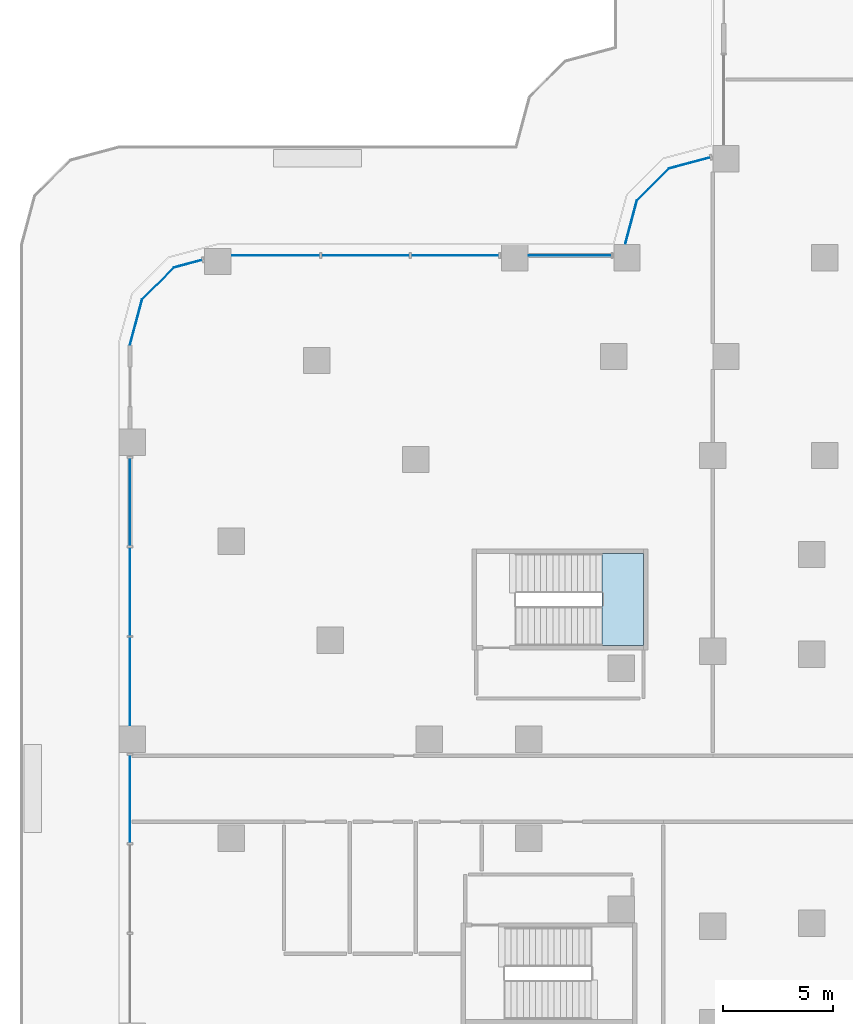
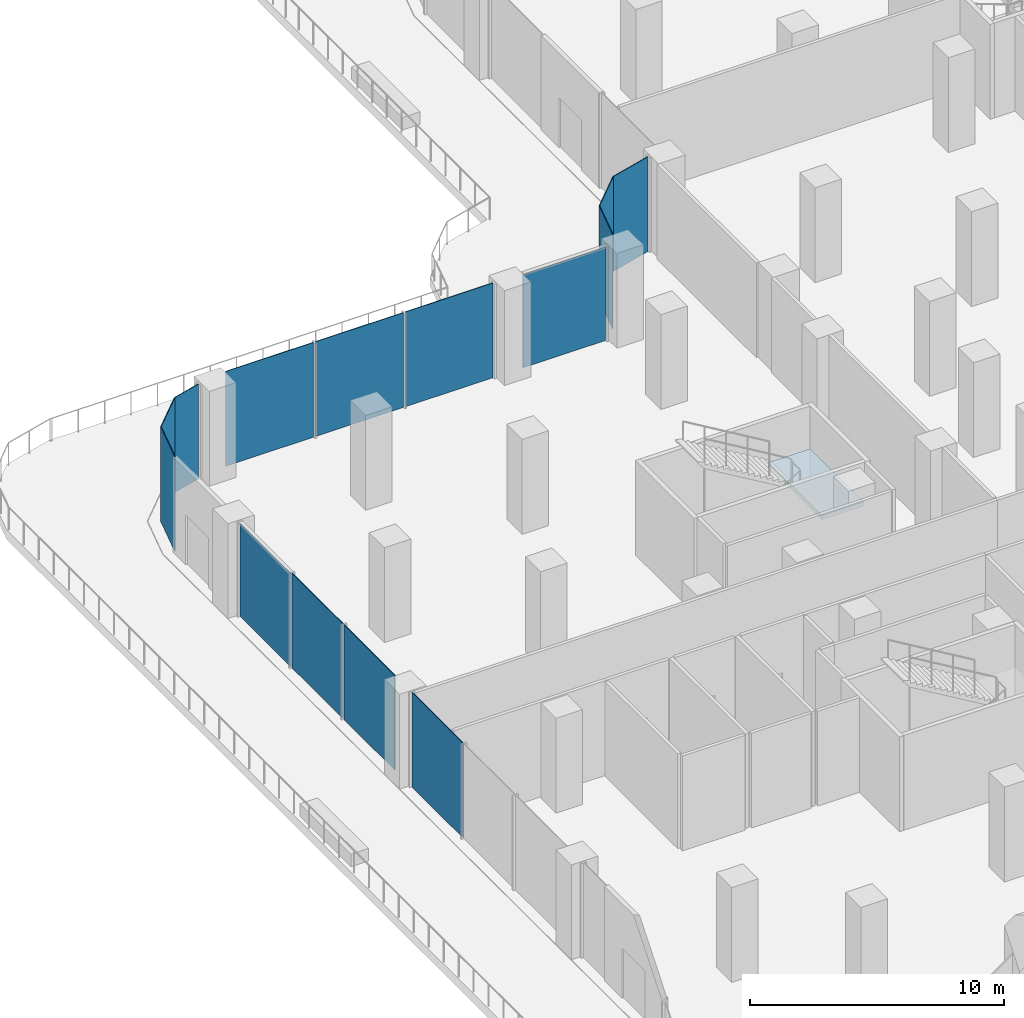
# One storey, part 13 of 30: 14 plates, 1 slab, 9 elements without a shape of their own.
"""IFC4 building model written with IfcOpenShell, lengths in metres."""

from ifc_helpers import new_model, si_unit, direction, frame, origin, place, context, subcontext, project, spatial, polyline, outline, extrude, source, transform, mapped, material, layer, layer_set, type_object, element, aggregate, save


model = new_model("IFC4")

# Units and contexts
model_context = context("Model", 3, precision=1e-05, world=origin(), true_north=direction((0.0, 1.0)))
body_context = subcontext(model_context, "Body", "Model", "MODEL_VIEW")
ifc_project = project(units=[si_unit("LENGTHUNIT", "METRE"), si_unit("AREAUNIT", "SQUARE_METRE"), si_unit("VOLUMEUNIT", "CUBIC_METRE"), si_unit("PLANEANGLEUNIT", "RADIAN"), si_unit("MASSUNIT", "GRAM", prefix="KILO")], contexts=[model_context])

# Site, building, storey
site_placement = place(None, origin())
site = spatial("IfcSite", under=ifc_project, at=site_placement, CompositionType="ELEMENT")
building_placement = place(site_placement, origin())
building = spatial("IfcBuilding", under=site, at=building_placement, Name="Zarbagh Exchange Tower", CompositionType="ELEMENT")
storey_placement = place(building_placement, frame((0.0, 0.0, 7.0)))
storey = spatial("IfcBuildingStorey", under=building, at=storey_placement, Name="L01", CompositionType="ELEMENT", Elevation=7.0)

# Stair, slab
ifc_material_1 = material(Name="Concrete C40/50", Category="concrete")
stair_type = type_object("IfcStairType", Name="Exit stair two-flight half-turn", PredefinedType="HALF_TURN_STAIR", material=ifc_material_1)
stair_placement = place(storey_placement, origin())
stair = element("IfcStair", 1, at=stair_placement, inside=storey, type_object=stair_type, Name="exit stair PS5", PredefinedType="HALF_TURN_STAIR")
ifc_layer_1 = layer(ifc_material_1, 0.199951171875)
ifc_layer_set_1 = layer_set([ifc_layer_1], Name="Stair landing 200 mm")
slab_type = type_object("IfcSlabType", Name="Stair landing 200 mm", PredefinedType="LANDING", material=ifc_layer_set_1)
slab_placement = place(storey_placement, frame((0.0, 0.0, 2.300048828125)))
slab = element("IfcSlab", 2, at=slab_placement, type_object=slab_type, Name="PS5 landing 1", PredefinedType="LANDING", context=body_context, shape_type="SweptSolid", body=[
    extrude(outline(polyline([(-29.780029296875, 6.5), (-27.89990234375, 6.5), (-27.89990234375, 10.699951171875), (-29.780029296875, 10.699951171875), (-29.780029296875, 6.5)])), origin(), (0.0, 0.0, 1.0), 0.199951171875),
])
aggregate(stair, [slab])

# Curtain wall, plate
ifc_material_2 = material(Name="Anodised aluminium frame and glazing", Category="aluminium")
curtain_wall_type = type_object("IfcCurtainWallType", Name="CWC Podium garden-wall glazing", PredefinedType="NOTDEFINED", material=ifc_material_2)
curtain_wall_1_placement = place(storey_placement, origin())
curtain_wall_1 = element("IfcCurtainWall", 3, at=curtain_wall_1_placement, inside=storey, type_object=curtain_wall_type, Name="CWC80 curtain wall", PredefinedType="NOTDEFINED")
ifc_material_3 = material(Name="Low-e double glazed unit, 6+12+6 mm")
ifc_layer_2 = layer(ifc_material_3, 0.031982421875)
ifc_layer_set_2 = layer_set([ifc_layer_2], Name="PAC Glazing panel, Low-e double glazed unit, 6+12+6 mm")
plate_type = type_object("IfcPlateType", Name="PAC Glazing panel, Low-e double glazed unit, 6+12+6 mm", PredefinedType="CURTAIN_PANEL", material=ifc_layer_set_2)
shared_shape_1 = source(origin(), body_context, "Body", "SweptSolid", [
    extrude(outline(polyline([(0.0, -0.01611328125), (2.061279296875, -0.01611328125), (2.061279296875, 0.01611328125), (0.0, 0.01611328125), (0.0, -0.01611328125)])), origin(), (0.0, 0.0, 1.0), 4.550048828125),
])
placement = place(storey_placement, origin())
plate_1 = element("IfcPlate", 4, at=placement, type_object=plate_type, Name="CWC80 glazing panel 1.1", PredefinedType="CURTAIN_PANEL", context=body_context, shape_type="MappedRepresentation", body=[
    mapped(shared_shape_1, transform((-26.7412109375, 28.19873046875, 0.0), x_axis=(-0.707106781187, -0.707106781187, 0.0), y_axis=(0.707106781187, -0.707106781187, 0.0), z_axis=(0.0, 0.0, 1.0))),
])
aggregate(curtain_wall_1, [plate_1])

curtain_wall_2_placement = place(storey_placement, origin())
curtain_wall_2 = element("IfcCurtainWall", 5, at=curtain_wall_2_placement, inside=storey, type_object=curtain_wall_type, Name="CWC84 curtain wall", PredefinedType="NOTDEFINED")
plate_2 = element("IfcPlate", 6, at=placement, type_object=plate_type, Name="CWC84 glazing panel 1.1", PredefinedType="CURTAIN_PANEL", context=body_context, shape_type="MappedRepresentation", body=[
    mapped(shared_shape_1, transform((-49.2412109375, 23.69873046875, 0.0), x_axis=(-0.707106781187, -0.707106781187, 0.0), y_axis=(0.707106781187, -0.707106781187, 0.0), z_axis=(0.0, 0.0, 1.0))),
])
aggregate(curtain_wall_2, [plate_2])

curtain_wall_3_placement = place(storey_placement, origin())
curtain_wall_3 = element("IfcCurtainWall", 7, at=curtain_wall_3_placement, inside=storey, type_object=curtain_wall_type, Name="CWC86 curtain wall", PredefinedType="NOTDEFINED")
shared_shape_2 = source(origin(), body_context, "Body", "SweptSolid", [
    extrude(outline(polyline([(0.0, -0.01611328125), (3.993408203125, -0.01611328125), (3.993408203125, 0.01611328125), (0.0, 0.01611328125), (0.0, -0.01611328125)])), origin(), (0.0, 0.0, 1.0), 4.469970703125),
])
plate_3 = element("IfcPlate", 8, at=placement, type_object=plate_type, Name="CWC86 glazing panel 1.1", PredefinedType="CURTAIN_PANEL", context=body_context, shape_type="MappedRepresentation", body=[
    mapped(shared_shape_2, transform((-51.25, 15.030029296875, 0.0), x_axis=(0.0, -1.0, 0.0), y_axis=(1.0, 0.0, 0.0), z_axis=(0.0, 0.0, 1.0))),
])

# Curtain wall, plates
curtain_wall_4_placement = place(storey_placement, origin())
curtain_wall_4 = element("IfcCurtainWall", 9, at=curtain_wall_4_placement, inside=storey, type_object=curtain_wall_type, Name="CWC82 curtain wall", PredefinedType="NOTDEFINED")
shared_shape_3 = source(origin(), body_context, "Body", "SweptSolid", [
    extrude(outline(polyline([(0.0, -0.01611328125), (3.993408203125, -0.01611328125), (3.993408203125, 0.01611328125), (0.0, 0.01611328125), (0.0, -0.01611328125)])), origin(), (0.0, 0.0, 1.0), 4.550048828125),
])
plate_4 = element("IfcPlate", 10, at=placement, type_object=plate_type, Name="CWC82 glazing panel 2.1", PredefinedType="CURTAIN_PANEL", context=body_context, shape_type="MappedRepresentation", body=[
    mapped(shared_shape_3, transform((-34.469970703125, 24.25, 0.0), x_axis=(-1.0, 0.0, 0.0), y_axis=(0.0, -1.0, 0.0), z_axis=(0.0, 0.0, 1.0))),
])
plate_5 = element("IfcPlate", 11, at=placement, type_object=plate_type, Name="CWC82 glazing panel 2.2", PredefinedType="CURTAIN_PANEL", context=body_context, shape_type="MappedRepresentation", body=[
    mapped(shared_shape_3, transform((-38.54345703125, 24.25, 0.0), x_axis=(-1.0, 0.0, 0.0), y_axis=(0.0, -1.0, 0.0), z_axis=(0.0, 0.0, 1.0))),
])
plate_6 = element("IfcPlate", 12, at=placement, type_object=plate_type, Name="CWC82 glazing panel 2.3", PredefinedType="CURTAIN_PANEL", context=body_context, shape_type="MappedRepresentation", body=[
    mapped(shared_shape_3, transform((-42.61669921875, 24.25, 0.0), x_axis=(-1.0, 0.0, 0.0), y_axis=(0.0, -1.0, 0.0), z_axis=(0.0, 0.0, 1.0))),
])

# Plate
plate_7 = element("IfcPlate", 13, at=placement, type_object=plate_type, Name="CWC86 glazing panel 1.2", PredefinedType="CURTAIN_PANEL", context=body_context, shape_type="MappedRepresentation", body=[
    mapped(shared_shape_3, transform((-51.25, 10.95654296875, 0.0), x_axis=(0.0, -1.0, 0.0), y_axis=(1.0, 0.0, 0.0), z_axis=(0.0, 0.0, 1.0))),
])

plate_8 = element("IfcPlate", 14, at=placement, type_object=plate_type, Name="CWC86 glazing panel 1.3", PredefinedType="CURTAIN_PANEL", context=body_context, shape_type="MappedRepresentation", body=[
    mapped(shared_shape_3, transform((-51.25, 6.88330078125, 0.0), x_axis=(0.0, -1.0, 0.0), y_axis=(1.0, 0.0, 0.0), z_axis=(0.0, 0.0, 1.0))),
])

plate_9 = element("IfcPlate", 15, at=placement, type_object=plate_type, Name="CWC86 glazing panel 2.1", PredefinedType="CURTAIN_PANEL", context=body_context, shape_type="MappedRepresentation", body=[
    mapped(shared_shape_3, transform((-51.25, 1.530029296875, 0.0), x_axis=(0.0, -1.0, 0.0), y_axis=(1.0, 0.0, 0.0), z_axis=(0.0, 0.0, 1.0))),
])

aggregate(curtain_wall_3, [plate_3, plate_7, plate_8, plate_9])

# Curtain wall, plate
curtain_wall_5_placement = place(storey_placement, origin())
curtain_wall_5 = element("IfcCurtainWall", 16, at=curtain_wall_5_placement, inside=storey, type_object=curtain_wall_type, Name="CWC79 curtain wall", PredefinedType="NOTDEFINED")
shared_shape_4 = source(origin(), body_context, "Body", "SweptSolid", [
    extrude(outline(polyline([(0.0, -0.01611328125), (1.93994140625, -0.01611328125), (1.93994140625, 0.01611328125), (0.0, 0.01611328125), (0.0, -0.01611328125)])), origin(), (0.0, 0.0, 1.0), 4.550048828125),
])
plate_10 = element("IfcPlate", 17, at=placement, type_object=plate_type, Name="CWC79 glazing panel 1.1", PredefinedType="CURTAIN_PANEL", context=body_context, shape_type="MappedRepresentation", body=[
    mapped(shared_shape_4, transform((-24.867431640625, 28.700927734375, 0.0), x_axis=(-0.965924289636, -0.258824779902, 0.0), y_axis=(0.258824779902, -0.965924289636, 0.0), z_axis=(0.0, 0.0, 1.0))),
])
aggregate(curtain_wall_5, [plate_10])

curtain_wall_6_placement = place(storey_placement, origin())
curtain_wall_6 = element("IfcCurtainWall", 18, at=curtain_wall_6_placement, inside=storey, type_object=curtain_wall_type, Name="CWC81 curtain wall", PredefinedType="NOTDEFINED")
shared_shape_5 = source(origin(), body_context, "Body", "SweptSolid", [
    extrude(outline(polyline([(0.0, -0.01611328125), (2.02001953125, -0.01611328125), (2.02001953125, 0.01611328125), (0.0, 0.01611328125), (0.0, -0.01611328125)])), origin(), (0.0, 0.0, 1.0), 4.550048828125),
])
plate_11 = element("IfcPlate", 19, at=placement, type_object=plate_type, Name="CWC81 glazing panel 1.1", PredefinedType="CURTAIN_PANEL", context=body_context, shape_type="MappedRepresentation", body=[
    mapped(shared_shape_5, transform((-28.19873046875, 26.7412109375, 0.0), x_axis=(-0.258824779902, -0.965924289636, 0.0), y_axis=(0.965924289636, -0.258824779902, 0.0), z_axis=(0.0, 0.0, 1.0))),
])
aggregate(curtain_wall_6, [plate_11])

curtain_wall_7_placement = place(storey_placement, origin())
curtain_wall_7 = element("IfcCurtainWall", 20, at=curtain_wall_7_placement, inside=storey, type_object=curtain_wall_type, Name="CWC83 curtain wall", PredefinedType="NOTDEFINED")
shared_shape_6 = source(origin(), body_context, "Body", "SweptSolid", [
    extrude(outline(polyline([(0.0, -0.01611328125), (1.31884765625, -0.01611328125), (1.31884765625, 0.01611328125), (0.0, 0.01611328125), (0.0, -0.01611328125)])), origin(), (0.0, 0.0, 1.0), 4.550048828125),
])
plate_12 = element("IfcPlate", 21, at=placement, type_object=plate_type, Name="CWC83 glazing panel 1.1", PredefinedType="CURTAIN_PANEL", context=body_context, shape_type="MappedRepresentation", body=[
    mapped(shared_shape_6, transform((-47.96728515625, 24.040283203125, 0.0), x_axis=(-0.965924289636, -0.258824779902, 0.0), y_axis=(0.258824779902, -0.965924289636, 0.0), z_axis=(0.0, 0.0, 1.0))),
])
aggregate(curtain_wall_7, [plate_12])

# Plate
shared_shape_7 = source(origin(), body_context, "Body", "SweptSolid", [
    extrude(outline(polyline([(0.0, -0.01611328125), (3.739990234375, -0.01611328125), (3.739990234375, 0.01611328125), (0.0, 0.01611328125), (0.0, -0.01611328125)])), origin(), (0.0, 0.0, 1.0), 4.469970703125),
])
plate_13 = element("IfcPlate", 22, at=placement, type_object=plate_type, Name="CWC82 glazing panel 1.1", PredefinedType="CURTAIN_PANEL", context=body_context, shape_type="MappedRepresentation", body=[
    mapped(shared_shape_7, transform((-29.3701171875, 24.25, 0.0), x_axis=(-1.0, 0.0, 0.0), y_axis=(0.0, -1.0, 0.0), z_axis=(0.0, 0.0, 1.0))),
])

aggregate(curtain_wall_4, [plate_13, plate_4, plate_5, plate_6])

# Curtain wall, plate
curtain_wall_8_placement = place(storey_placement, origin())
curtain_wall_8 = element("IfcCurtainWall", 23, at=curtain_wall_8_placement, inside=storey, type_object=curtain_wall_type, Name="CWC85 curtain wall", PredefinedType="NOTDEFINED")
shared_shape_8 = source(origin(), body_context, "Body", "SweptSolid", [
    extrude(outline(polyline([(0.0, -0.01611328125), (2.129638671875, -0.01611328125), (2.129638671875, 0.01611328125), (0.0, 0.01611328125), (0.0, -0.01611328125)])), origin(), (0.0, 0.0, 1.0), 4.550048828125),
])
plate_14 = element("IfcPlate", 24, at=placement, type_object=plate_type, Name="CWC85 glazing panel 1.1", PredefinedType="CURTAIN_PANEL", context=body_context, shape_type="MappedRepresentation", body=[
    mapped(shared_shape_8, transform((-50.69873046875, 22.2412109375, 0.0), x_axis=(-0.258824779902, -0.965924289636, 0.0), y_axis=(0.965924289636, -0.258824779902, 0.0), z_axis=(0.0, 0.0, 1.0))),
])
aggregate(curtain_wall_8, [plate_14])

save(model, "model.ifc")
